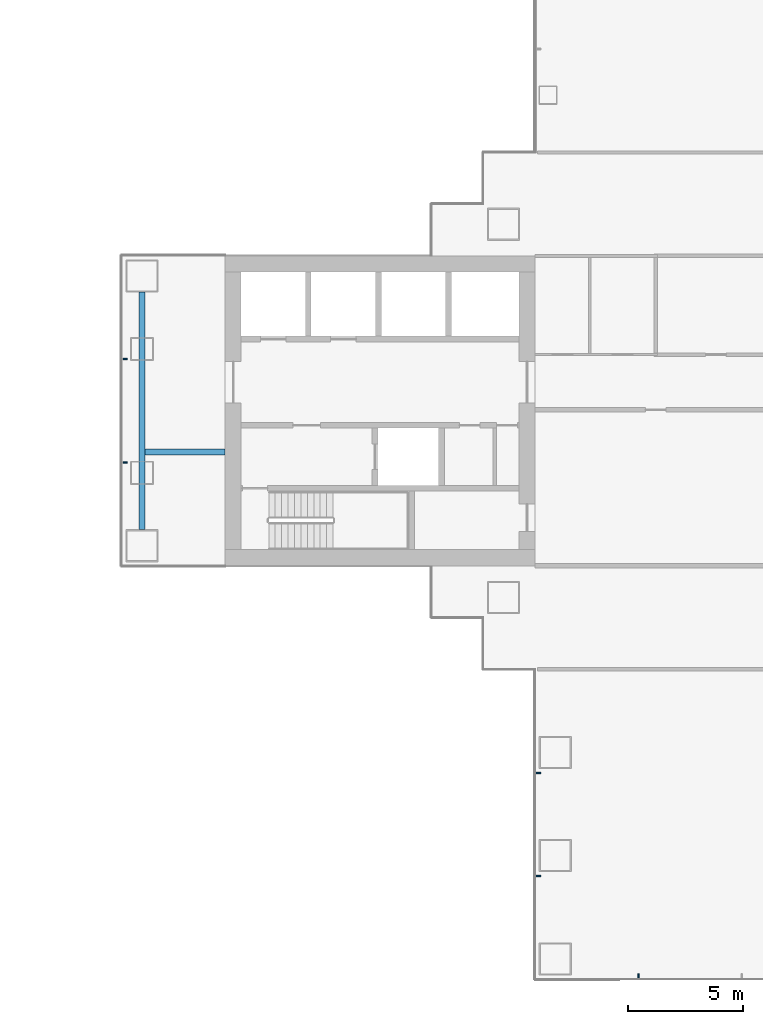
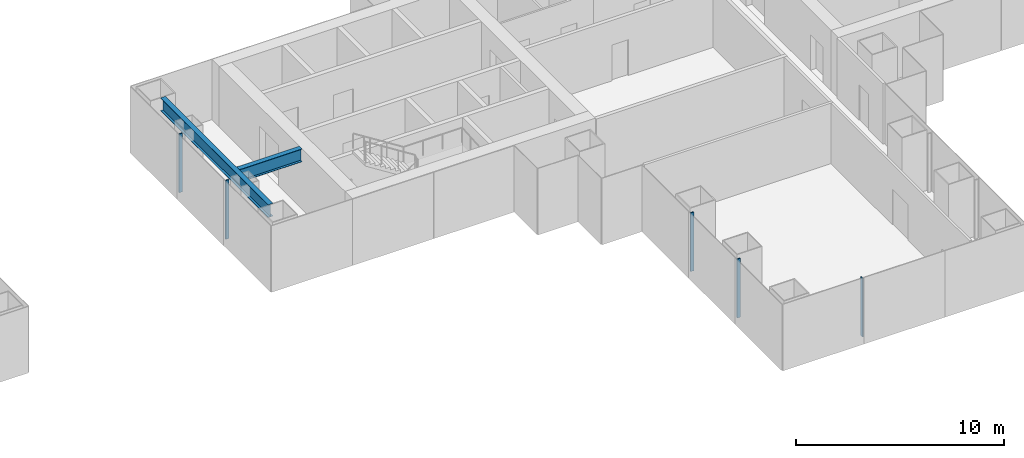
# One storey, part 7 of 21: 5 members, 2 beams, 3 elements without a shape of their own.
"""IFC4 building model written with IfcOpenShell, lengths in metres."""

from ifc_helpers import new_model, si_unit, direction, frame, origin, origin_2d, place, context, subcontext, project, spatial, rectangle, i_section, extrude, material, layer, layer_set, material_profile, profile_set, type_object, element, aggregate, save


model = new_model("IFC4")

# Units and contexts
model_context = context("Model", 3, precision=1e-05, world=origin(), true_north=direction((0.0, 1.0)))
body_context = subcontext(model_context, "Body", "Model", "MODEL_VIEW")
ifc_project = project(units=[si_unit("LENGTHUNIT", "METRE"), si_unit("AREAUNIT", "SQUARE_METRE"), si_unit("VOLUMEUNIT", "CUBIC_METRE"), si_unit("PLANEANGLEUNIT", "RADIAN"), si_unit("MASSUNIT", "GRAM", prefix="KILO")], contexts=[model_context])

# Site, building, storey
site_placement = place(None, origin())
site = spatial("IfcSite", under=ifc_project, at=site_placement, CompositionType="ELEMENT")
building_placement = place(site_placement, origin())
building = spatial("IfcBuilding", under=site, at=building_placement, Name="Shamsa Quay Exchange Towers", CompositionType="ELEMENT")
storey_placement = place(building_placement, frame((0.0, 0.0, 61.5)))
storey = spatial("IfcBuildingStorey", under=building, at=storey_placement, Name="L13", CompositionType="ELEMENT", Elevation=61.5)

# Curtain wall, members
ifc_material_1 = material(Name="Aluminium EN AW-6063 T6, black anodised", Category="aluminium")
ifc_layer = layer(ifc_material_1, 0.280029296875)
ifc_layer_set = layer_set([ifc_layer], Name="CW-1 UNITISED VISION GLASS")
curtain_wall_type = type_object("IfcCurtainWallType", Name="CW-1 UNITISED VISION GLASS", PredefinedType="NOTDEFINED", material=ifc_layer_set)
curtain_wall_1_placement = place(storey_placement, origin())
curtain_wall_1 = element("IfcCurtainWall", 1, at=curtain_wall_1_placement, inside=storey, type_object=curtain_wall_type, Name="CW1 T2-END-V+ L13", PredefinedType="NOTDEFINED")
ifc_material_profile_1 = material_profile(ifc_material_1, rectangle(XDim=0.179931640625, YDim=0.06005859375, at=origin_2d()), Name="MU60x180")
ifc_profile_set_1 = profile_set([ifc_material_profile_1], Name="Aluminium EN AW-6063 T6, black anodised")
member_type = type_object("IfcMemberType", Name="CW1 MULLION 60x180", PredefinedType="MULLION", material=ifc_profile_set_1)
member_1_placement = place(storey_placement, frame((9.14990234375, 2.25, 0.0)))
member_1 = element("IfcMember", 2, at=member_1_placement, type_object=member_type, Name="CW1 mullion", PredefinedType="MULLION", context=body_context, shape_type="SweptSolid", body=[
    extrude(rectangle(XDim=0.179931640625, YDim=0.06005859375, at=origin_2d()), origin(), (0.0, 0.0, 1.0), 3.449951171875),
])
member_2_placement = place(storey_placement, frame((9.14990234375, -2.25, 0.0)))
member_2 = element("IfcMember", 3, at=member_2_placement, type_object=member_type, Name="CW1 mullion", PredefinedType="MULLION", context=body_context, shape_type="SweptSolid", body=[
    extrude(rectangle(XDim=0.179931640625, YDim=0.06005859375, at=origin_2d()), origin(), (0.0, 0.0, 1.0), 3.449951171875),
])
aggregate(curtain_wall_1, [member_1, member_2])

curtain_wall_2_placement = place(storey_placement, origin())
curtain_wall_2 = element("IfcCurtainWall", 4, at=curtain_wall_2_placement, inside=storey, type_object=curtain_wall_type, Name="CW1 T2-FLK-U-N L13", PredefinedType="NOTDEFINED")
member_3_placement = place(storey_placement, frame((27.14990234375, -15.775390625, 0.0)))
member_3 = element("IfcMember", 5, at=member_3_placement, type_object=member_type, Name="CW1 mullion", PredefinedType="MULLION", context=body_context, shape_type="SweptSolid", body=[
    extrude(rectangle(XDim=0.179931640625, YDim=0.06005859375, at=origin_2d()), origin(), (0.0, 0.0, 1.0), 3.449951171875),
])
member_4_placement = place(storey_placement, frame((27.14990234375, -20.2626953125, 0.0)))
member_4 = element("IfcMember", 6, at=member_4_placement, type_object=member_type, Name="CW1 mullion", PredefinedType="MULLION", context=body_context, shape_type="SweptSolid", body=[
    extrude(rectangle(XDim=0.179931640625, YDim=0.06005859375, at=origin_2d()), origin(), (0.0, 0.0, 1.0), 3.449951171875),
])
aggregate(curtain_wall_2, [member_3, member_4])

# Curtain wall, member
curtain_wall_3_placement = place(storey_placement, origin())
curtain_wall_3 = element("IfcCurtainWall", 7, at=curtain_wall_3_placement, inside=storey, type_object=curtain_wall_type, Name="CW1 T2-END-U- L13", PredefinedType="NOTDEFINED")
member_5_placement = place(storey_placement, frame((31.5, -24.60009765625, 0.0), z_axis=(0.0, 0.0, 1.0), x_axis=(0.0, 1.0, 0.0)))
member_5 = element("IfcMember", 8, at=member_5_placement, type_object=member_type, Name="CW1 mullion", PredefinedType="MULLION", context=body_context, shape_type="SweptSolid", body=[
    extrude(rectangle(XDim=0.179931640625, YDim=0.06005859375, at=origin_2d()), origin(), (0.0, 0.0, 1.0), 3.449951171875),
])
aggregate(curtain_wall_3, [member_5])

# Beams
ifc_material_2 = material(Name="Steel S355", Category="steel")
ifc_material_profile_2 = material_profile(ifc_material_2, i_section(OverallWidth=0.26611328125, OverallDepth=0.7578125, WebThickness=0.013916015625, FlangeThickness=0.019287109375, at=origin_2d()), Name="W30x108")
ifc_profile_set_2 = profile_set([ifc_material_profile_2], Name="Steel S355")
beam_type = type_object("IfcBeamType", Name="End-zone beam W30x108", PredefinedType="BEAM", material=ifc_profile_set_2)
beam_1_placement = place(storey_placement, frame((9.875, -5.175048828125, 3.171142578125), z_axis=(0.0, 1.0, 0.0), x_axis=(-1.0, 0.0, 0.0)))
element("IfcBeam", 9, at=beam_1_placement, inside=storey, type_object=beam_type, Name="End beam T2 V+ end zone L13", PredefinedType="BEAM", context=body_context, shape_type="SweptSolid", body=[
    extrude(i_section(OverallWidth=0.26611328125, OverallDepth=0.7578125, WebThickness=0.013916015625, FlangeThickness=0.019287109375, at=origin_2d()), origin(), (0.0, 0.0, 1.0), 10.35009765625),
])
beam_2_placement = place(storey_placement, frame((13.5, -1.800048828125, 3.171142578125), z_axis=(-1.0, 0.0, 0.0), x_axis=(0.0, -1.0, 0.0)))
element("IfcBeam", 10, at=beam_2_placement, inside=storey, type_object=beam_type, Name="Spine beam T2 V+ end zone L13", PredefinedType="BEAM", context=body_context, shape_type="SweptSolid", body=[
    extrude(i_section(OverallWidth=0.26611328125, OverallDepth=0.7578125, WebThickness=0.013916015625, FlangeThickness=0.019287109375, at=origin_2d()), origin(), (0.0, 0.0, 1.0), 3.491943359375),
])

save(model, "model.ifc")
